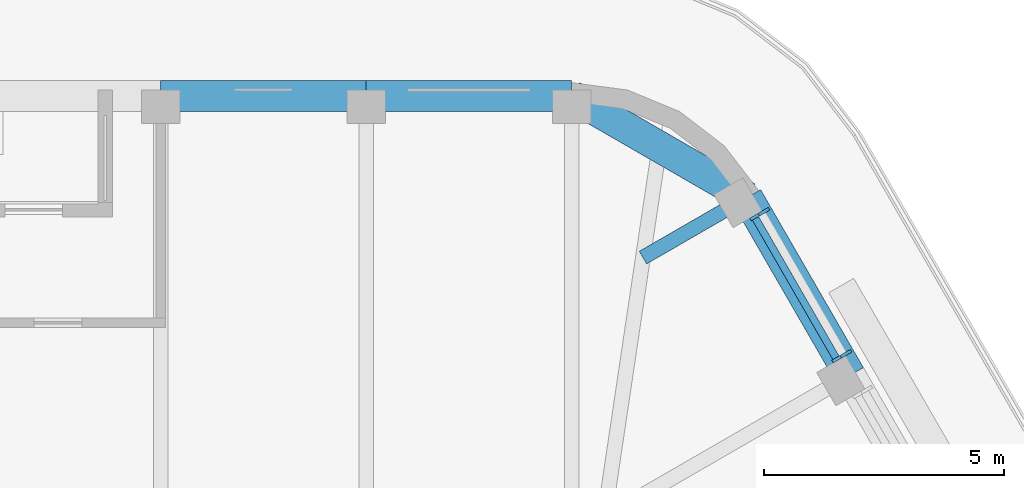
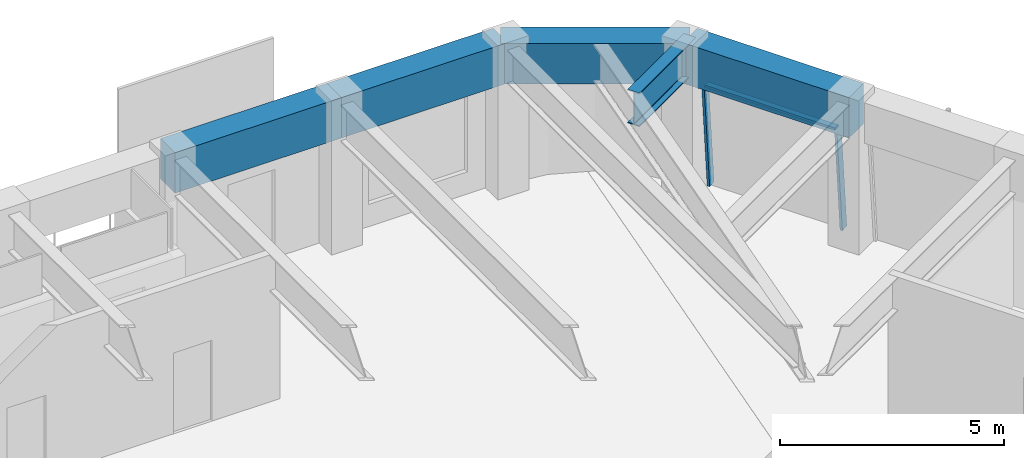
# One storey, part 11 of 20: 5 beams, 3 members, 1 element without a shape of its own.
"""IFC4 building model written with IfcOpenShell, lengths in metres."""

from ifc_helpers import new_model, si_unit, direction, frame, origin, origin_2d, place, context, subcontext, project, spatial, rectangle, i_section, extrude, material, material_profile, profile_set, type_object, element, aggregate, save


model = new_model("IFC4")

# Units and contexts
model_context = context("Model", 3, precision=1e-05, world=origin(), true_north=direction((0.0, 1.0)))
body_context = subcontext(model_context, "Body", "Model", "MODEL_VIEW")
ifc_project = project(units=[si_unit("LENGTHUNIT", "METRE"), si_unit("AREAUNIT", "SQUARE_METRE"), si_unit("VOLUMEUNIT", "CUBIC_METRE"), si_unit("PLANEANGLEUNIT", "RADIAN"), si_unit("MASSUNIT", "GRAM", prefix="KILO")], contexts=[model_context])

# Site, building, storey
site_placement = place(None, origin())
site = spatial("IfcSite", under=ifc_project, at=site_placement, CompositionType="ELEMENT")
building_placement = place(site_placement, origin())
building = spatial("IfcBuilding", under=site, at=building_placement, Name="Tarfa Lantern Tower", CompositionType="ELEMENT")
storey_placement = place(building_placement, frame((0.0, 0.0, 378.699951171875)))
storey = spatial("IfcBuildingStorey", under=building, at=storey_placement, Name="L86", CompositionType="ELEMENT", Elevation=378.699951171875)

# Curtain wall, members
ifc_material_1 = material(Name="Aluminium framed curtain wall", Category="aluminium")
curtain_wall_type = type_object("IfcCurtainWallType", Name="CW4 CANTED GLAZING EXECUTIVE ZONE 2900", PredefinedType="USERDEFINED", material=ifc_material_1)
curtain_wall_placement = place(storey_placement, origin())
curtain_wall = element("IfcCurtainWall", 1, at=curtain_wall_placement, inside=storey, type_object=curtain_wall_type, Name="CW4 NE L86", ObjectType="CURTAIN WALL", PredefinedType="USERDEFINED")
ifc_material_2 = material(Name="Aluminium mullion", Category="aluminium")
ifc_material_profile_1 = material_profile(ifc_material_2, rectangle(XDim=0.06494140625, YDim=0.199951171875, at=origin_2d()), Name="AL MULLION 65x200")
ifc_profile_set_1 = profile_set([ifc_material_profile_1], Name="Aluminium mullion")
member_type_1 = type_object("IfcMemberType", Name="CWM1 MULLION 65x200", PredefinedType="MULLION", material=ifc_profile_set_1)
member_1_placement = place(storey_placement, frame((18.581298828125, 21.1162109375, 0.0), z_axis=(-0.074393603155, -0.042941967097, 0.996303959277), x_axis=(0.499919672301, -0.866071776036, 0.0)))
member_1 = element("IfcMember", 2, at=member_1_placement, type_object=member_type_1, Name="CW4 mullion 1", PredefinedType="MULLION", context=body_context, shape_type="SweptSolid", body=[
    extrude(rectangle(XDim=0.06494140625, YDim=0.199951171875, at=origin_2d()), origin(), (0.0, 0.0, 1.0), 2.910888671875),
])
member_2_placement = place(storey_placement, frame((16.872802734375, 24.075439453125, 0.0), z_axis=(-0.074393603155, -0.042941967097, 0.996303959277), x_axis=(0.499919672301, -0.866071776036, 0.0)))
member_2 = element("IfcMember", 3, at=member_2_placement, type_object=member_type_1, Name="CW4 mullion 2", PredefinedType="MULLION", context=body_context, shape_type="SweptSolid", body=[
    extrude(rectangle(XDim=0.06494140625, YDim=0.199951171875, at=origin_2d()), origin(), (0.0, 0.0, 1.0), 2.910888671875),
])
ifc_material_3 = material(Name="Aluminium transom", Category="aluminium")
ifc_material_profile_2 = material_profile(ifc_material_3, rectangle(XDim=0.14990234375, YDim=0.06494140625, at=origin_2d()), Name="AL TRANSOM 150x65")
ifc_profile_set_2 = profile_set([ifc_material_profile_2], Name="Aluminium transom")
member_type_2 = type_object("IfcMemberType", Name="CWT1 TRANSOM 150x65", PredefinedType="USERDEFINED", material=ifc_profile_set_2)
member_3_placement = place(storey_placement, frame((18.35107421875, 21.020751953125, 2.867431640625), z_axis=(-0.500016677412, 0.866015774862, 0.0), x_axis=(-0.866015774862, -0.500016677412, 0.0)))
member_3 = element("IfcMember", 4, at=member_3_placement, type_object=member_type_2, Name="CW4 transom 1.2", ObjectType="TRANSOM", PredefinedType="USERDEFINED", context=body_context, shape_type="SweptSolid", body=[
    extrude(rectangle(XDim=0.14990234375, YDim=0.06494140625, at=origin_2d()), origin(), (0.0, 0.0, 1.0), 3.35205078125),
])
aggregate(curtain_wall, [member_1, member_2, member_3])

# Beams
ifc_material_4 = material(Name="Concrete C80/95", Category="concrete")
ifc_material_profile_3 = material_profile(ifc_material_4, rectangle(XDim=0.64990234375, YDim=1.10009765625, at=origin_2d()), Name="RC 650x1100")
ifc_profile_set_3 = profile_set([ifc_material_profile_3], Name="Concrete C80/95")
beam_type_1 = type_object("IfcBeamType", Name="EB4 RC 650x1100", PredefinedType="SPANDREL", material=ifc_profile_set_3)
beam_1_placement = place(storey_placement, frame((18.6416015625, 20.651611328125, 3.449951171875), z_axis=(-0.499959351497, 0.866048870937, 0.0), x_axis=(-0.866048870937, -0.499959351497, 0.0)))
element("IfcBeam", 5, at=beam_1_placement, inside=storey, type_object=beam_type_1, Name="Edge beam NE5", PredefinedType="SPANDREL", context=body_context, shape_type="SweptSolid", body=[
    extrude(rectangle(XDim=0.64990234375, YDim=1.10009765625, at=origin_2d()), origin(), (0.0, 0.0, 1.0), 4.281982421875),
])
beam_2_placement = place(storey_placement, frame((16.500732421875, 24.360107421875, 3.449951171875), z_axis=(-0.866048788483, 0.499959494327, 0.0), x_axis=(-0.499959494327, -0.866048788483, 0.0)))
element("IfcBeam", 6, at=beam_2_placement, inside=storey, type_object=beam_type_1, Name="Edge beam NE6", PredefinedType="SPANDREL", context=body_context, shape_type="SweptSolid", body=[
    extrude(rectangle(XDim=0.64990234375, YDim=1.10009765625, at=origin_2d()), origin(), (0.0, 0.0, 1.0), 4.219970703125),
])
for number, where, z_axis, x_axis, name in (
    (7, (12.845947265625, 26.469970703125, 3.449951171875), (-1.0, 0.0, 0.0), (0.0, -1.0, 0.0), "Edge beam N0"),
    (8, (8.56396484375, 26.469970703125, 3.449951171875), (-1.0, 0.0, 0.0), (0.0, -1.0, 0.0), "Edge beam N1"),
):
    element("IfcBeam", number, at=place(storey_placement, frame(where, z_axis=z_axis, x_axis=x_axis)), inside=storey, type_object=beam_type_1, Name=name, PredefinedType="SPANDREL", context=body_context, shape_type="SweptSolid", body=[
        extrude(rectangle(XDim=0.64990234375, YDim=1.10009765625, at=origin_2d()), origin(), (0.0, 0.0, 1.0), 4.281982421875),
    ])
ifc_material_5 = material(Name="Steel S460M", Category="steel")
ifc_material_profile_4 = material_profile(ifc_material_5, i_section(OverallWidth=0.305419921875, OverallDepth=0.91845703125, WebThickness=0.017333984375, FlangeThickness=0.02783203125, FilletRadius=0.01904296875, at=origin_2d()), Name="UB914x305x253")
ifc_profile_set_4 = profile_set([ifc_material_profile_4], Name="Steel S460M")
beam_type_2 = type_object("IfcBeamType", Name="UB914x305x253", PredefinedType="BEAM", material=ifc_profile_set_4)
beam_3_placement = place(storey_placement, frame((16.500732421875, 24.360107421875, 3.540771484375), z_axis=(-0.865992557167, -0.500056887695, 0.0), x_axis=(0.500056887695, -0.865992557167, 0.0)))
element("IfcBeam", 9, at=beam_3_placement, inside=storey, type_object=beam_type_2, Name="Floor beam NE6", PredefinedType="BEAM", context=body_context, shape_type="SweptSolid", body=[
    extrude(i_section(OverallWidth=0.305419921875, OverallDepth=0.91845703125, WebThickness=0.017333984375, FlangeThickness=0.02783203125, FilletRadius=0.01904296875, at=origin_2d()), origin(), (0.0, 0.0, 1.0), 2.506591796875),
])

save(model, "model.ifc")
